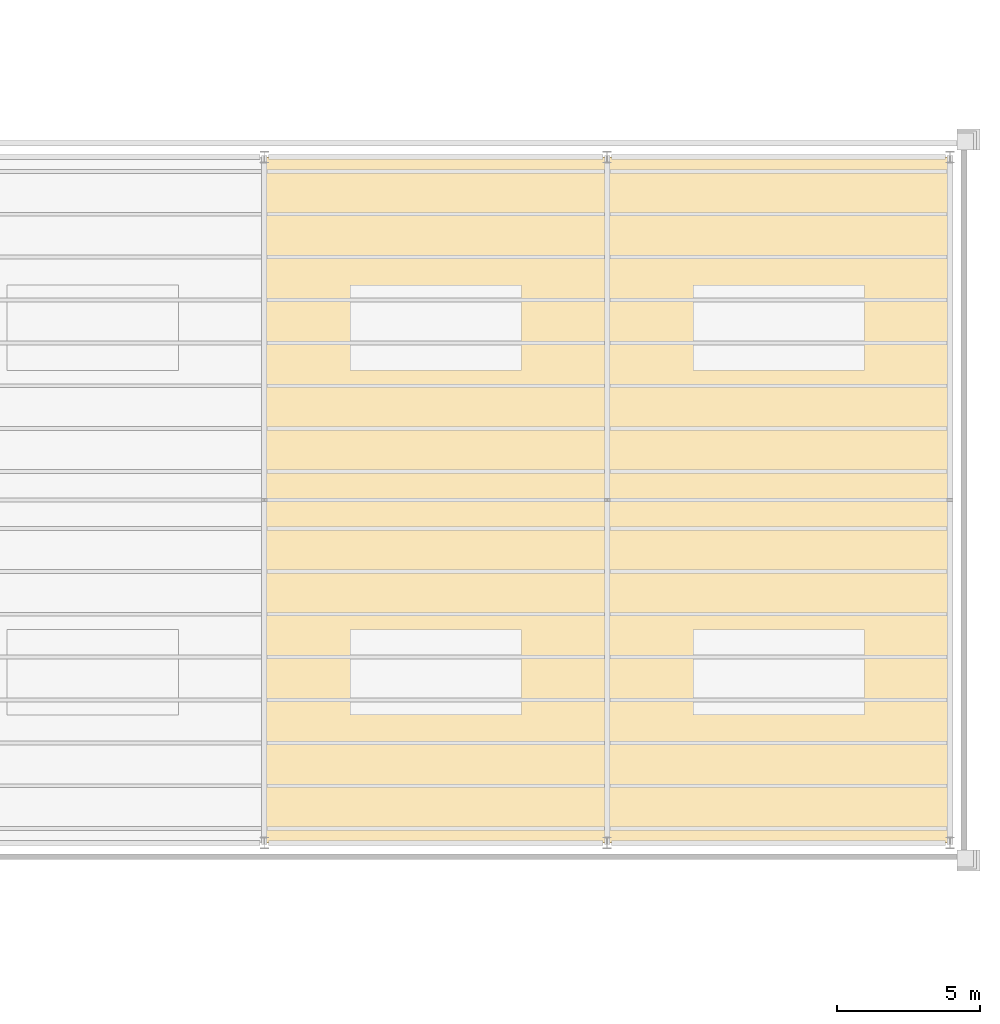
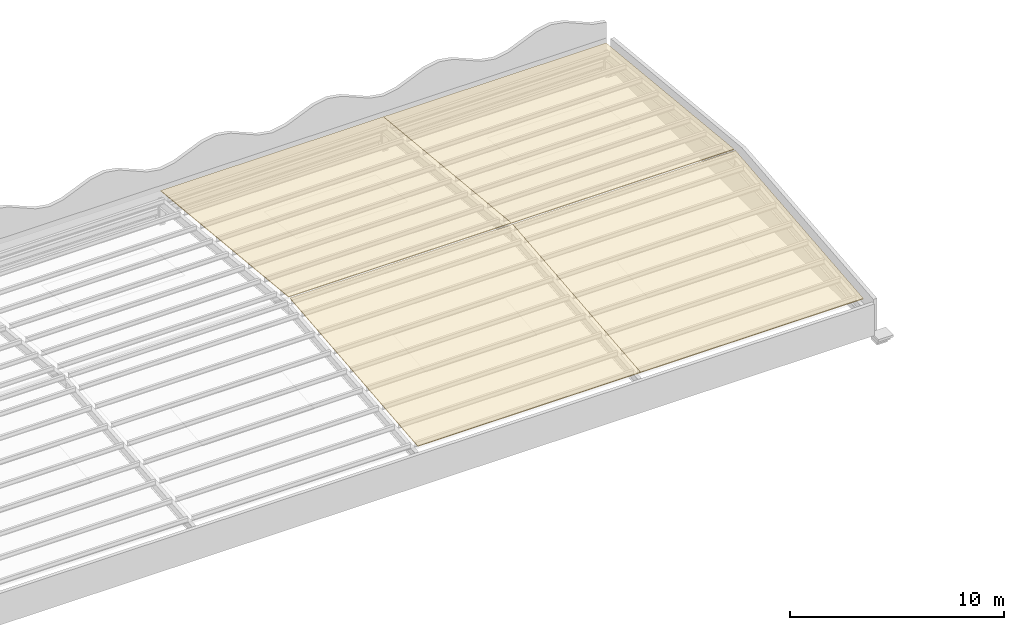
# One storey, part 168 of 170: 4 coverings.
"""IFC4 building model written with IfcOpenShell, lengths in metres."""

from ifc_helpers import new_model, si_unit, direction, frame, origin, place, context, subcontext, project, spatial, polyline, outline, extrude, material, layer, layer_set, type_object, element, save


model = new_model("IFC4")

# Units and contexts
model_context = context("Model", 3, precision=1e-05, world=origin(), true_north=direction((0.0, 1.0)))
body_context = subcontext(model_context, "Body", "Model", "MODEL_VIEW")
ifc_project = project(units=[si_unit("LENGTHUNIT", "METRE"), si_unit("AREAUNIT", "SQUARE_METRE"), si_unit("VOLUMEUNIT", "CUBIC_METRE"), si_unit("PLANEANGLEUNIT", "RADIAN"), si_unit("MASSUNIT", "GRAM", prefix="KILO")], contexts=[model_context])

# Site, building, storey
site_placement = place(None, origin())
site = spatial("IfcSite", under=ifc_project, at=site_placement, CompositionType="ELEMENT")
building_placement = place(site_placement, origin())
building = spatial("IfcBuilding", under=site, at=building_placement, Name="Ravi Spectrum Wholesale Market", CompositionType="ELEMENT")
storey_placement = place(building_placement, frame((0.0, 0.0, 5.39990234375)))
storey = spatial("IfcBuildingStorey", under=building, at=storey_placement, Name="L01", CompositionType="ELEMENT", Elevation=5.39990234375)

# Coverings
ifc_material = material(Name="Zinc standing seam")
ifc_layer = layer(ifc_material, 0.0400390625)
ifc_layer_set = layer_set([ifc_layer], Name="Zinc standing seam")
covering_type = type_object("IfcCoveringType", Name="Standing seam roof covering 40", PredefinedType="ROOFING", material=ifc_layer_set)
covering_1_placement = place(storey_placement, frame((270.0, 173.93994140625, 3.0341796875), z_axis=(0.0, -0.099491632318, 0.995038398806), x_axis=(1.0, 0.0, 0.0)))
element("IfcCovering", 1, at=covering_1_placement, inside=storey, type_object=covering_type, Name="Roof covering", PredefinedType="ROOFING", context=body_context, shape_type="SweptSolid", body=[
    extrude(outline(polyline([(0.0, 0.0), (12.0, 0.0), (12.0, -11.99947803077354), (0.0, -11.99947803077354), (0.0, 0.0)])), origin(), (0.0, 0.0, -1.0), 0.0400390625),
])
covering_2_placement = place(storey_placement, frame((282.0, 186.0, 1.84033203125), z_axis=(0.0, 0.099491632318, 0.995038398806), x_axis=(0.0, -0.995038398806, 0.099491632318)))
element("IfcCovering", 2, at=covering_2_placement, inside=storey, type_object=covering_type, Name="Roof covering", PredefinedType="ROOFING", context=body_context, shape_type="SweptSolid", body=[
    extrude(outline(polyline([(0.0, 0.0), (11.99947803077354, 0.0), (11.99947803077354, -12.0), (0.0, -12.0), (0.0, 0.0)])), origin(), (0.0, 0.0, -1.0), 0.0400390625),
])
covering_3_placement = place(storey_placement, frame((282.0, 173.93994140625, 3.0341796875), z_axis=(0.0, -0.099491632318, 0.995038398806), x_axis=(1.0, 0.0, 0.0)))
element("IfcCovering", 3, at=covering_3_placement, inside=storey, type_object=covering_type, Name="Roof covering", PredefinedType="ROOFING", context=body_context, shape_type="SweptSolid", body=[
    extrude(outline(polyline([(0.0, 0.0), (12.0, 0.0), (12.0, -11.99947803077354), (0.0, -11.99947803077354), (0.0, 0.0)])), origin(), (0.0, 0.0, -1.0), 0.0400390625),
])
covering_4_placement = place(storey_placement, frame((294.0, 186.0, 1.84033203125), z_axis=(0.0, 0.099491632318, 0.995038398806), x_axis=(0.0, -0.995038398806, 0.099491632318)))
element("IfcCovering", 4, at=covering_4_placement, inside=storey, type_object=covering_type, Name="Roof covering", PredefinedType="ROOFING", context=body_context, shape_type="SweptSolid", body=[
    extrude(outline(polyline([(0.0, 0.0), (11.99947803077354, 0.0), (11.99947803077354, -12.0), (0.0, -12.0), (0.0, 0.0)])), origin(), (0.0, 0.0, -1.0), 0.0400390625),
])

save(model, "model.ifc")
